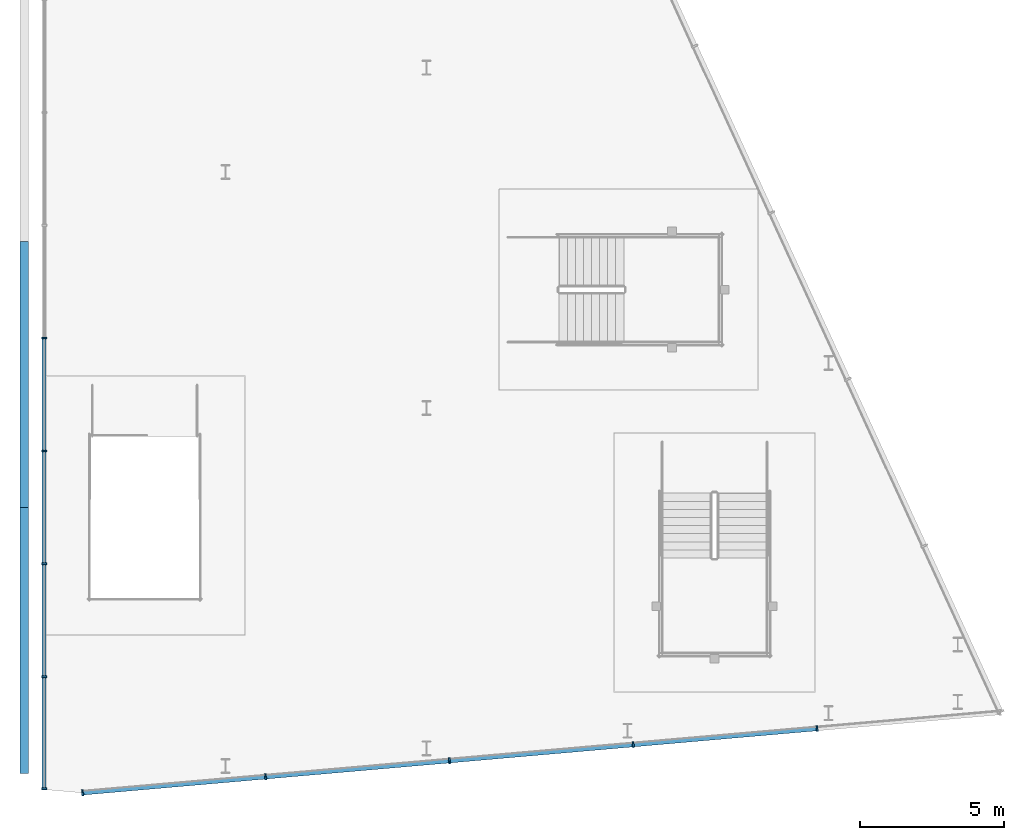
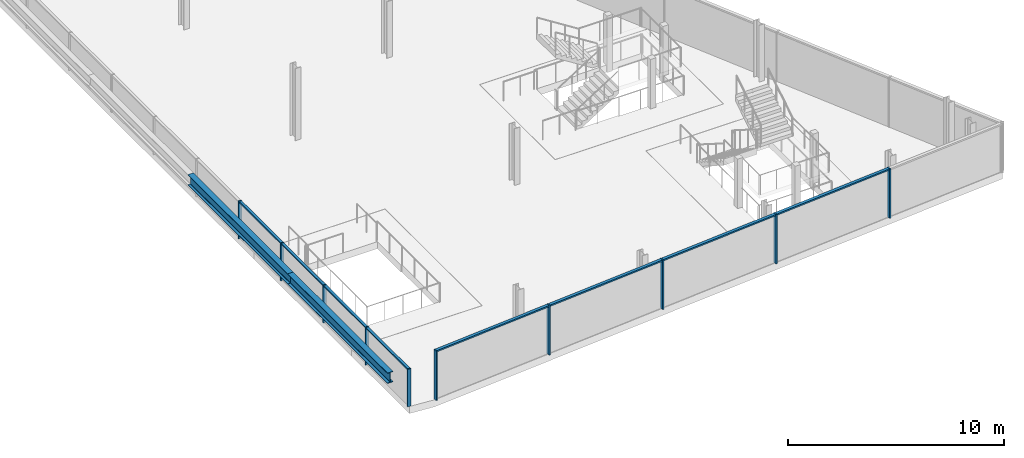
# One storey, part 2 of 9: 18 members, 2 beams, 2 elements without a shape of their own.
"""IFC4 building model written with IfcOpenShell, lengths in metres."""

from ifc_helpers import new_model, si_unit, direction, frame, origin, origin_2d, place, context, subcontext, project, spatial, rectangle, i_section, extrude, material, material_profile, profile_set, type_object, element, aggregate, save


model = new_model("IFC4")

# Units and contexts
model_context = context("Model", 3, precision=1e-05, world=origin(), true_north=direction((0.0, 1.0)))
body_context = subcontext(model_context, "Body", "Model", "MODEL_VIEW")
ifc_project = project(units=[si_unit("LENGTHUNIT", "METRE"), si_unit("AREAUNIT", "SQUARE_METRE"), si_unit("VOLUMEUNIT", "CUBIC_METRE"), si_unit("PLANEANGLEUNIT", "RADIAN"), si_unit("MASSUNIT", "GRAM", prefix="KILO")], contexts=[model_context])

# Site, building, storey
site_placement = place(None, origin())
site = spatial("IfcSite", under=ifc_project, at=site_placement, CompositionType="ELEMENT")
building_placement = place(site_placement, origin())
building = spatial("IfcBuilding", under=site, at=building_placement, Name="Wharfspan Tower", CompositionType="ELEMENT")
storey_placement = place(building_placement, frame((0.0, 0.0, 270.699951)))
storey = spatial("IfcBuildingStorey", under=building, at=storey_placement, Name="L69", CompositionType="ELEMENT", Elevation=270.699951)

# Curtain wall, members
ifc_material_1 = material(Name="Aluminium 6063-T6", Category="aluminium")
curtain_wall_type_1 = type_object("IfcCurtainWallType", Name="CURTAIN WALL CROWN GABLE", PredefinedType="NOTDEFINED", material=ifc_material_1)
curtain_wall_1_placement = place(storey_placement, origin())
curtain_wall_1 = element("IfcCurtainWall", 1, at=curtain_wall_1_placement, inside=storey, type_object=curtain_wall_type_1, Name="Crown gable glazing", PredefinedType="NOTDEFINED")
ifc_material_profile_1 = material_profile(ifc_material_1, rectangle(XDim=0.179932, YDim=0.060059, at=origin_2d()))
ifc_profile_set_1 = profile_set([ifc_material_profile_1], Name="Aluminium 6063-T6")
member_type_1 = type_object("IfcMemberType", Name="MULLION CROWN GABLE 60x180", PredefinedType="MULLION", material=ifc_profile_set_1)
member_1_placement = place(storey_placement, frame((44.691162, 6.144775, 0.0), z_axis=(0.0, 0.0, 1.0), x_axis=(-1.0, 0.0, 0.0)))
member_1 = element("IfcMember", 2, at=member_1_placement, type_object=member_type_1, Name="Crown gable glazing mullion 1", PredefinedType="MULLION", context=body_context, shape_type="SweptSolid", body=[
    extrude(rectangle(XDim=0.179932, YDim=0.060059, at=origin_2d()), origin(), (0.0, 0.0, 1.0), 2.124268),
])
member_2_placement = place(storey_placement, frame((44.691162, 10.044434, 0.0), z_axis=(0.0, 0.0, 1.0), x_axis=(-1.0, 0.0, 0.0)))
member_2 = element("IfcMember", 3, at=member_2_placement, type_object=member_type_1, Name="Crown gable glazing mullion 2", PredefinedType="MULLION", context=body_context, shape_type="SweptSolid", body=[
    extrude(rectangle(XDim=0.179932, YDim=0.060059, at=origin_2d()), origin(), (0.0, 0.0, 1.0), 2.124268),
])
member_3_placement = place(storey_placement, frame((44.691162, 13.973877, 0.0), z_axis=(0.0, 0.0, 1.0), x_axis=(-1.0, 0.0, 0.0)))
member_3 = element("IfcMember", 4, at=member_3_placement, type_object=member_type_1, Name="Crown gable glazing mullion 3", PredefinedType="MULLION", context=body_context, shape_type="SweptSolid", body=[
    extrude(rectangle(XDim=0.179932, YDim=0.060059, at=origin_2d()), origin(), (0.0, 0.0, 1.0), 2.124268),
])
member_4_placement = place(storey_placement, frame((44.691162, 17.90332, 0.0), z_axis=(0.0, 0.0, 1.0), x_axis=(-1.0, 0.0, 0.0)))
member_4 = element("IfcMember", 5, at=member_4_placement, type_object=member_type_1, Name="Crown gable glazing mullion 4", PredefinedType="MULLION", context=body_context, shape_type="SweptSolid", body=[
    extrude(rectangle(XDim=0.179932, YDim=0.060059, at=origin_2d()), origin(), (0.0, 0.0, 1.0), 2.124268),
])
member_5_placement = place(storey_placement, frame((44.691162, 21.832764, 0.0), z_axis=(0.0, 0.0, 1.0), x_axis=(-1.0, 0.0, 0.0)))
member_5 = element("IfcMember", 6, at=member_5_placement, type_object=member_type_1, Name="Crown gable glazing mullion 5", PredefinedType="MULLION", context=body_context, shape_type="SweptSolid", body=[
    extrude(rectangle(XDim=0.179932, YDim=0.060059, at=origin_2d()), origin(), (0.0, 0.0, 1.0), 2.124268),
])

curtain_wall_type_2 = type_object("IfcCurtainWallType", Name="CURTAIN WALL FACETED FRONT", PredefinedType="NOTDEFINED", material=ifc_material_1)
curtain_wall_2_placement = place(storey_placement, origin())
curtain_wall_2 = element("IfcCurtainWall", 7, at=curtain_wall_2_placement, inside=storey, type_object=curtain_wall_type_2, Name="Crown curtain wall S2", PredefinedType="NOTDEFINED")
ifc_material_profile_2 = material_profile(ifc_material_1, rectangle(XDim=0.199951, YDim=0.060059, at=origin_2d()))
ifc_profile_set_2 = profile_set([ifc_material_profile_2], Name="Aluminium 6063-T6")
member_type_2 = type_object("IfcMemberType", Name="MULLION FACETED FRONT 60x200", PredefinedType="MULLION", material=ifc_profile_set_2)
member_6_placement = place(storey_placement, frame((46.029785, 6.00293, 0.0), z_axis=(0.0, 0.0, 1.0), x_axis=(-0.087156, 0.996198, 0.0)))
member_6 = element("IfcMember", 8, at=member_6_placement, type_object=member_type_2, Name="Crown curtain wall S2 mullion 1", PredefinedType="MULLION", context=body_context, shape_type="SweptSolid", body=[
    extrude(rectangle(XDim=0.199951, YDim=0.060059, at=origin_2d()), origin(), (0.0, 0.0, 1.0), 2.800049),
])
member_7_placement = place(storey_placement, frame((52.399902, 6.560303, 0.0), z_axis=(0.0, 0.0, 1.0), x_axis=(-0.087156, 0.996198, 0.0)))
member_7 = element("IfcMember", 9, at=member_7_placement, type_object=member_type_2, Name="Crown curtain wall S2 mullion 2", PredefinedType="MULLION", context=body_context, shape_type="SweptSolid", body=[
    extrude(rectangle(XDim=0.199951, YDim=0.060059, at=origin_2d()), origin(), (0.0, 0.0, 1.0), 2.800049),
])
member_8_placement = place(storey_placement, frame((58.800049, 7.120117, 0.0), z_axis=(0.0, 0.0, 1.0), x_axis=(-0.087156, 0.996198, 0.0)))
member_8 = element("IfcMember", 10, at=member_8_placement, type_object=member_type_2, Name="Crown curtain wall S2 mullion 3", PredefinedType="MULLION", context=body_context, shape_type="SweptSolid", body=[
    extrude(rectangle(XDim=0.199951, YDim=0.060059, at=origin_2d()), origin(), (0.0, 0.0, 1.0), 2.800049),
])
member_9_placement = place(storey_placement, frame((65.199951, 7.680176, 0.0), z_axis=(0.0, 0.0, 1.0), x_axis=(-0.087156, 0.996198, 0.0)))
member_9 = element("IfcMember", 11, at=member_9_placement, type_object=member_type_2, Name="Crown curtain wall S2 mullion 4", PredefinedType="MULLION", context=body_context, shape_type="SweptSolid", body=[
    extrude(rectangle(XDim=0.199951, YDim=0.060059, at=origin_2d()), origin(), (0.0, 0.0, 1.0), 2.800049),
])
member_10_placement = place(storey_placement, frame((71.600098, 8.23999, 0.0), z_axis=(0.0, 0.0, 1.0), x_axis=(-0.087156, 0.996198, 0.0)))
member_10 = element("IfcMember", 12, at=member_10_placement, type_object=member_type_2, Name="Crown curtain wall S2 mullion 5", PredefinedType="MULLION", context=body_context, shape_type="SweptSolid", body=[
    extrude(rectangle(XDim=0.199951, YDim=0.060059, at=origin_2d()), origin(), (0.0, 0.0, 1.0), 2.800049),
])

# Beams
ifc_material_2 = material(Name="Steel S355J2", Category="steel")
ifc_material_profile_3 = material_profile(ifc_material_2, i_section(OverallWidth=0.300049, OverallDepth=0.600098, WebThickness=0.015381, FlangeThickness=0.030029, FilletRadius=0.0271, at=origin_2d()))
ifc_profile_set_3 = profile_set([ifc_material_profile_3], Name="Steel S355J2")
beam_type = type_object("IfcBeamType", Name="Roof girder HEB 600", PredefinedType="BEAM", material=ifc_profile_set_3)
for number, where, z_axis, x_axis, name in (
    (13, (44.0, 6.675293, 1.550049), (0.0, 1.0, 0.0), (-1.0, 0.0, 0.0), "Roof girder G4 7 to 16"),
    (14, (44.0, 15.933594, 1.550049), (0.0, 1.0, 0.0), (-1.0, 0.0, 0.0), "Roof girder G4 16 to 25"),
):
    element("IfcBeam", number, at=place(storey_placement, frame(where, z_axis=z_axis, x_axis=x_axis)), inside=storey, type_object=beam_type, Name=name, PredefinedType="BEAM", context=body_context, shape_type="SweptSolid", body=[
        extrude(i_section(OverallWidth=0.300049, OverallDepth=0.600098, WebThickness=0.015381, FlangeThickness=0.030029, FilletRadius=0.0271, at=origin_2d()), origin(), (0.0, 0.0, 1.0), 9.258301),
    ])

# Member
ifc_material_profile_4 = material_profile(ifc_material_1, rectangle(XDim=0.139893, YDim=0.070068, at=origin_2d()))
ifc_profile_set_4 = profile_set([ifc_material_profile_4], Name="Aluminium 6063-T6")
member_type_3 = type_object("IfcMemberType", Name="TRANSOM CROWN GABLE 70x140", PredefinedType="USERDEFINED", material=ifc_profile_set_4)
member_11_placement = place(storey_placement, frame((44.691162, 6.174805, 2.089355), z_axis=(0.0, 1.0, 0.0), x_axis=(-1.0, 0.0, 0.0)))
member_11 = element("IfcMember", 15, at=member_11_placement, type_object=member_type_3, Name="Crown gable glazing transom 1", ObjectType="TRANSOM", PredefinedType="USERDEFINED", context=body_context, shape_type="SweptSolid", body=[
    extrude(rectangle(XDim=0.139893, YDim=0.070068, at=origin_2d()), origin(), (0.0, 0.0, 1.0), 3.8396),
])

member_12_placement = place(storey_placement, frame((44.691162, 10.074463, 2.089355), z_axis=(0.0, 1.0, 0.0), x_axis=(-1.0, 0.0, 0.0)))
member_12 = element("IfcMember", 16, at=member_12_placement, type_object=member_type_3, Name="Crown gable glazing transom 2", ObjectType="TRANSOM", PredefinedType="USERDEFINED", context=body_context, shape_type="SweptSolid", body=[
    extrude(rectangle(XDim=0.139893, YDim=0.070068, at=origin_2d()), origin(), (0.0, 0.0, 1.0), 3.869385),
])

member_13_placement = place(storey_placement, frame((44.691162, 14.003906, 2.089355), z_axis=(0.0, 1.0, 0.0), x_axis=(-1.0, 0.0, 0.0)))
member_13 = element("IfcMember", 17, at=member_13_placement, type_object=member_type_3, Name="Crown gable glazing transom 3", ObjectType="TRANSOM", PredefinedType="USERDEFINED", context=body_context, shape_type="SweptSolid", body=[
    extrude(rectangle(XDim=0.139893, YDim=0.070068, at=origin_2d()), origin(), (0.0, 0.0, 1.0), 3.869385),
])

member_14_placement = place(storey_placement, frame((44.691162, 17.93335, 2.089355), z_axis=(0.0, 1.0, 0.0), x_axis=(-1.0, 0.0, 0.0)))
member_14 = element("IfcMember", 18, at=member_14_placement, type_object=member_type_3, Name="Crown gable glazing transom 4", ObjectType="TRANSOM", PredefinedType="USERDEFINED", context=body_context, shape_type="SweptSolid", body=[
    extrude(rectangle(XDim=0.139893, YDim=0.070068, at=origin_2d()), origin(), (0.0, 0.0, 1.0), 3.869629),
])

aggregate(curtain_wall_1, [member_1, member_2, member_3, member_4, member_5, member_11, member_12, member_13, member_14])

ifc_material_profile_5 = material_profile(ifc_material_1, rectangle(XDim=0.159912, YDim=0.080078, at=origin_2d()))
ifc_profile_set_5 = profile_set([ifc_material_profile_5], Name="Aluminium 6063-T6")
member_type_4 = type_object("IfcMemberType", Name="TRANSOM FACETED FRONT 80x160", PredefinedType="USERDEFINED", material=ifc_profile_set_5)
member_15_placement = place(storey_placement, frame((46.059814, 6.005615, 2.76001), z_axis=(0.996196, 0.087144, 0.0), x_axis=(-0.087144, 0.996196, 0.0)))
member_15 = element("IfcMember", 19, at=member_15_placement, type_object=member_type_4, Name="Crown curtain wall S2 transom 1", ObjectType="TRANSOM", PredefinedType="USERDEFINED", context=body_context, shape_type="SweptSolid", body=[
    extrude(rectangle(XDim=0.159912, YDim=0.080078, at=origin_2d()), origin(), (0.0, 0.0, 1.0), 6.334473),
])

member_16_placement = place(storey_placement, frame((52.429932, 6.562988, 2.76001), z_axis=(0.996195, 0.087156, 0.0), x_axis=(-0.087156, 0.996195, 0.0)))
member_16 = element("IfcMember", 20, at=member_16_placement, type_object=member_type_4, Name="Crown curtain wall S2 transom 2", ObjectType="TRANSOM", PredefinedType="USERDEFINED", context=body_context, shape_type="SweptSolid", body=[
    extrude(rectangle(XDim=0.159912, YDim=0.080078, at=origin_2d()), origin(), (0.0, 0.0, 1.0), 6.364258),
])

member_17_placement = place(storey_placement, frame((58.829834, 7.122803, 2.76001), z_axis=(0.996195, 0.087153, 0.0), x_axis=(-0.087153, 0.996195, 0.0)))
member_17 = element("IfcMember", 21, at=member_17_placement, type_object=member_type_4, Name="Crown curtain wall S2 transom 3", ObjectType="TRANSOM", PredefinedType="USERDEFINED", context=body_context, shape_type="SweptSolid", body=[
    extrude(rectangle(XDim=0.159912, YDim=0.080078, at=origin_2d()), origin(), (0.0, 0.0, 1.0), 6.364502),
])

member_18_placement = place(storey_placement, frame((65.22998, 7.682861, 2.76001), z_axis=(0.996195, 0.087156, 0.0), x_axis=(-0.087156, 0.996195, 0.0)))
member_18 = element("IfcMember", 22, at=member_18_placement, type_object=member_type_4, Name="Crown curtain wall S2 transom 4", ObjectType="TRANSOM", PredefinedType="USERDEFINED", context=body_context, shape_type="SweptSolid", body=[
    extrude(rectangle(XDim=0.159912, YDim=0.080078, at=origin_2d()), origin(), (0.0, 0.0, 1.0), 6.364258),
])

aggregate(curtain_wall_2, [member_6, member_7, member_8, member_9, member_10, member_15, member_16, member_17, member_18])

save(model, "model.ifc")
